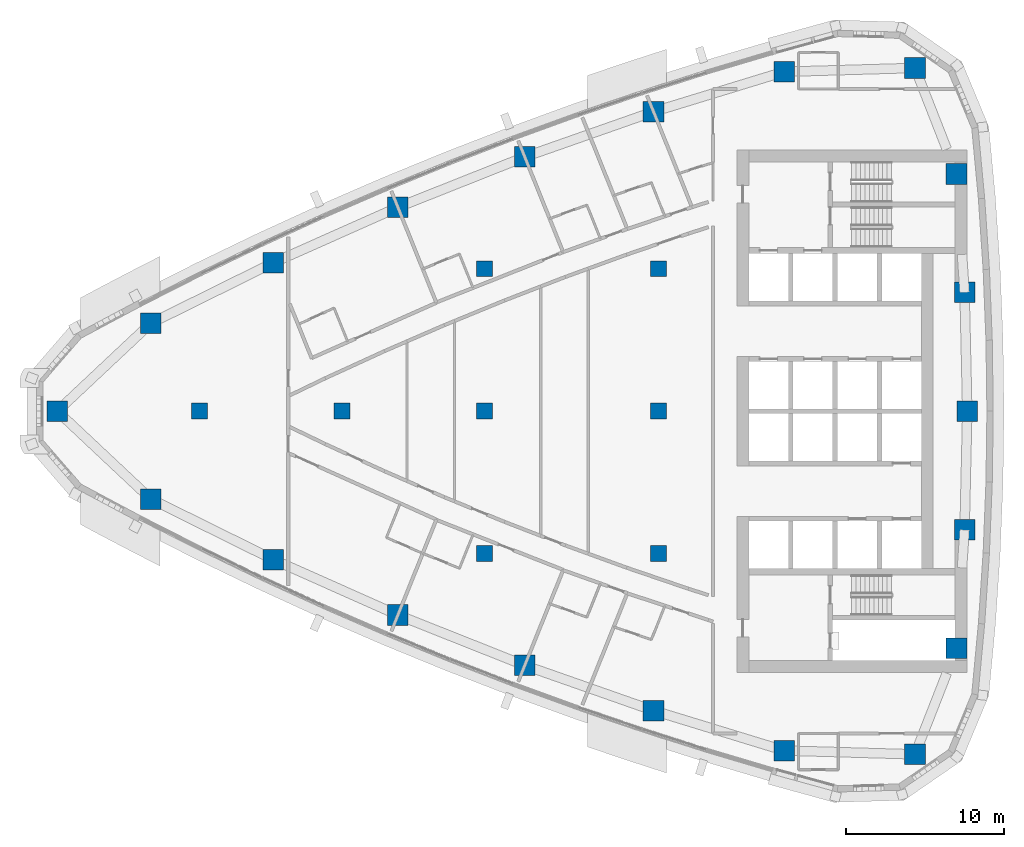
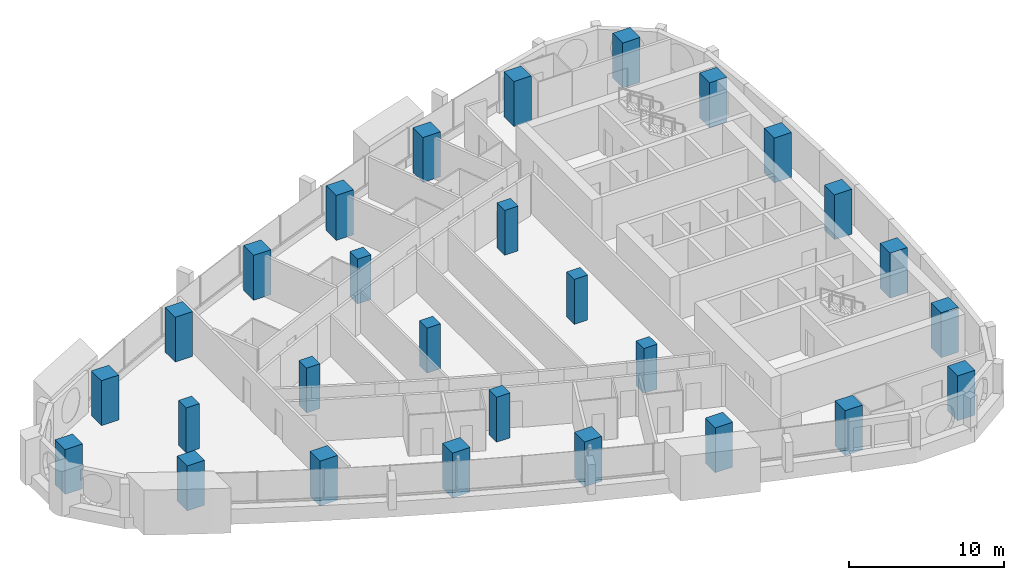
# One storey, part 1 of 17: 28 columns.
"""IFC4 building model written with IfcOpenShell, lengths in metres."""

import ifcopenshell
import ifcopenshell.guid

model = None  # the IFC model being written
_history = None  # IfcOwnerHistory: only IFC2X3 demands one
_inside = {}  # id of a spatial element -> (the spatial element, [elements in it])
_under = {}  # id of a project, library or spatial element -> (it, [spatial elements below it])
_declared = {}  # id of a project -> (the project, [libraries it declares])
_typed = {}  # id of a type object -> (the type object, [elements of that type])
_made_of = {}  # id of a material, layer set ... -> (it, [elements and type objects made of it])


def new_model(schema):
    """Start an empty IFC model of exactly this schema.

    Asked for "IFC4X3", IfcOpenShell would pick the latest addendum, in which some entities
    have other attributes; the version numbers below select the first issue.
    IFC2X3 requires an IfcOwnerHistory on every rooted entity: one is made here for all.
    """
    global model, _history
    if schema == "IFC4X3":
        model = ifcopenshell.file(schema_version=(4, 3, 0, 0))
    else:
        model = ifcopenshell.file(schema=schema)
    _inside.clear()
    _under.clear()
    _declared.clear()
    _typed.clear()
    _made_of.clear()
    _history = None
    if model.schema == "IFC2X3":
        org = make("IfcOrganization", Name="unknown")
        user = make(
            "IfcPersonAndOrganization",
            ThePerson=make("IfcPerson", FamilyName="unknown"),
            TheOrganization=org,
        )
        app = make(
            "IfcApplication",
            ApplicationDeveloper=org,
            Version="unknown",
            ApplicationFullName="unknown",
            ApplicationIdentifier="unknown",
        )
        _history = make(
            "IfcOwnerHistory",
            OwningUser=user,
            OwningApplication=app,
            ChangeAction="ADDED",
            CreationDate=0,
        )
    return model


def make(cls, **values):
    """One entity of the class cls with the attributes given. An attribute that is None is left unset."""
    return model.create_entity(
        cls, **{name: value for name, value in values.items() if value is not None}
    )


def rooted(cls, **values):
    """An entity with a GlobalId (a new one), such as an element, a storey or a relation."""
    return make(cls, GlobalId=ifcopenshell.guid.new(), OwnerHistory=_history, **values)


def si_unit(unit_type, name, prefix=None):
    """IfcSIUnit, for example si_unit("LENGTHUNIT", "METRE", prefix="MILLI")."""
    return make("IfcSIUnit", UnitType=unit_type, Prefix=prefix, Name=name)


def assignment(units):
    """IfcUnitAssignment: the units of a project."""
    return None if units is None else make("IfcUnitAssignment", Units=units)


def point(xyz):
    """IfcCartesianPoint."""
    return None if xyz is None else make("IfcCartesianPoint", Coordinates=xyz)


def direction(xyz):
    """IfcDirection."""
    return None if xyz is None else make("IfcDirection", DirectionRatios=xyz)


def frame(location, z_axis=None, x_axis=None):
    """IfcAxis2Placement3D, a coordinate frame: its origin and axes. An axis left out is left unset."""
    return make(
        "IfcAxis2Placement3D",
        Location=point(location),
        Axis=direction(z_axis),
        RefDirection=direction(x_axis),
    )


def frame_2d(location, x_axis=None):
    """IfcAxis2Placement2D, a coordinate frame in the plane: its origin and x axis."""
    return make(
        "IfcAxis2Placement2D", Location=point(location), RefDirection=direction(x_axis)
    )


def origin():
    """The frame at (0, 0, 0) with its axes left unset."""
    return frame((0.0, 0.0, 0.0))


def origin_2d():
    """The frame at (0, 0) in the plane with its x axis left unset."""
    return frame_2d((0.0, 0.0))


def place(relative_to, where):
    """IfcLocalPlacement: puts the frame where relative to a parent placement (None: the world)."""
    return make(
        "IfcLocalPlacement", PlacementRelTo=relative_to, RelativePlacement=where
    )


def context(
    kind, dimensions, precision=None, world=None, true_north=None, identifier=None
):
    """IfcGeometricRepresentationContext, for example the 3D "Model" context."""
    return make(
        "IfcGeometricRepresentationContext",
        ContextIdentifier=identifier,
        ContextType=kind,
        CoordinateSpaceDimension=dimensions,
        Precision=precision,
        WorldCoordinateSystem=world,
        TrueNorth=true_north,
    )


def subcontext(parent, identifier, kind, view, scale=None):
    """IfcGeometricRepresentationSubContext, for example "Body" below "Model"."""
    return make(
        "IfcGeometricRepresentationSubContext",
        ContextIdentifier=identifier,
        ContextType=kind,
        ParentContext=parent,
        TargetScale=scale,
        TargetView=view,
    )


def project(units=None, contexts=None):
    """IfcProject with its units and contexts."""
    return rooted(
        "IfcProject",
        Name="project",
        RepresentationContexts=contexts,
        UnitsInContext=assignment(units),
    )


def spatial(cls, under=None, at=None, **own):
    """A site, building, storey or space (cls), placed at a placement, below another one or the project."""
    s = rooted(cls, ObjectPlacement=at, **own)
    if under is not None:
        _under.setdefault(under.id(), (under, []))[1].append(s)
    return s


def profile(cls, at=None, kind="AREA", **sizes):
    """A parametric profile (cls). Its sizes go by their IFC names, for example OverallWidth=200.0."""
    return make(cls, ProfileType=kind, Position=at, **sizes)


def rectangle(**sizes):
    """IfcRectangleProfileDef."""
    return profile("IfcRectangleProfileDef", **sizes)


def extrude(swept, where, along, depth):
    """IfcExtrudedAreaSolid: the profile swept, set in the frame where, extruded along a direction by depth."""
    return make(
        "IfcExtrudedAreaSolid",
        SweptArea=swept,
        Position=where,
        ExtrudedDirection=direction(along),
        Depth=depth,
    )


def shape(context_of_items, identifier, shape_type, items):
    """IfcShapeRepresentation: the items that make up one representation, for example the "Body"."""
    return make(
        "IfcShapeRepresentation",
        ContextOfItems=context_of_items,
        RepresentationIdentifier=identifier,
        RepresentationType=shape_type,
        Items=items,
    )


def material(Name=None, Category=None):
    """IfcMaterial."""
    return make("IfcMaterial", Name=Name, Category=Category)


def material_profile(
    of_material, cross_section, Name=None, Category=None, Priority=None
):
    """IfcMaterialProfile: a cross section and its material."""
    return make(
        "IfcMaterialProfile",
        Name=Name,
        Material=of_material,
        Profile=cross_section,
        Priority=Priority,
        Category=Category,
    )


def profile_set(profiles, Name=None, composite=None):
    """IfcMaterialProfileSet."""
    return make(
        "IfcMaterialProfileSet",
        Name=Name,
        MaterialProfiles=profiles,
        CompositeProfile=composite,
    )


def made_of(thing, what):
    """Note that an element or type object is made of a material, layer set ...; save() writes the relation."""
    if what is not None:
        _made_of.setdefault(what.id(), (what, []))[1].append(thing)
    return thing


def type_object(cls, material=None, **own):
    """A type object (cls), such as IfcWallType, which elements share."""
    return made_of(rooted(cls, **own), material)


def element(
    cls,
    number,
    at=None,
    inside=None,
    cuts=None,
    type_object=None,
    material=None,
    context=None,
    identifier="Body",
    shape_type=None,
    held_by="IfcProductDefinitionShape",
    body=None,
    shapes=None,
    **own,
):
    """One element of the class cls, such as IfcWall. Its Tag is "e" and its number.

    at: its placement. inside: the storey or other place that contains it. cuts: it is an
    opening in that element (IfcRelVoidsElement). A single representation is given by context,
    identifier, shape_type and body (its items); several are given by shapes. held_by: the class
    of the entity that holds the representations. save() writes the other relations.
    """
    e = rooted(cls, Tag="e%d" % number, ObjectPlacement=at, **own)
    if body is not None:
        shapes = [shape(context, identifier, shape_type, body)]
    if shapes is not None:
        e.Representation = make(held_by, Representations=shapes)
    if inside is not None:
        _inside.setdefault(inside.id(), (inside, []))[1].append(e)
    if cuts is not None:
        rooted(
            "IfcRelVoidsElement", RelatingBuildingElement=cuts, RelatedOpeningElement=e
        )
    if type_object is not None:
        _typed.setdefault(type_object.id(), (type_object, []))[1].append(e)
    return made_of(e, material)


def aggregate(whole, parts):
    """IfcRelAggregates: a whole, such as a stair, and the parts it consists of."""
    return rooted("IfcRelAggregates", RelatingObject=whole, RelatedObjects=parts)


def save(model, path):
    """Write the relations noted so far, then the file.

    IfcRelAggregates (storeys below a building ...), IfcRelContainedInSpatialStructure (elements
    in a storey), IfcRelDefinesByType, IfcRelAssociatesMaterial and IfcRelDeclares: one each for
    every whole, place, type object, material and project.
    """
    for whole, parts in _under.values():
        aggregate(whole, parts)
    for where, things in _inside.values():
        rooted(
            "IfcRelContainedInSpatialStructure",
            RelatedElements=things,
            RelatingStructure=where,
        )
    for kind, things in _typed.values():
        rooted("IfcRelDefinesByType", RelatedObjects=things, RelatingType=kind)
    for what, things in _made_of.values():
        rooted("IfcRelAssociatesMaterial", RelatedObjects=things, RelatingMaterial=what)
    for by, libraries in _declared.values():
        rooted("IfcRelDeclares", RelatingContext=by, RelatedDefinitions=libraries)
    model.write(path)


model = new_model("IFC4")

# Units and contexts
model_context = context("Model", 3, precision=1e-05, world=origin(), true_north=direction((0.0, 1.0)))
body_context = subcontext(model_context, "Body", "Model", "MODEL_VIEW")
ifc_project = project(units=[si_unit("LENGTHUNIT", "METRE"), si_unit("AREAUNIT", "SQUARE_METRE"), si_unit("VOLUMEUNIT", "CUBIC_METRE"), si_unit("PLANEANGLEUNIT", "RADIAN"), si_unit("MASSUNIT", "GRAM", prefix="KILO")], contexts=[model_context])

# Site, building, storey
site_placement = place(None, origin())
site = spatial("IfcSite", under=ifc_project, at=site_placement, CompositionType="ELEMENT")
building_placement = place(site_placement, origin())
building = spatial("IfcBuilding", under=site, at=building_placement, Name="Ostrand Prow Hotel Tower", CompositionType="ELEMENT")
storey_placement = place(building_placement, frame((0.0, 0.0, 175.5)))
storey = spatial("IfcBuildingStorey", under=building, at=storey_placement, Name="L43", CompositionType="ELEMENT", Elevation=175.5)

# Columns
ifc_material_1 = material(Name="Concrete C60/75", Category="concrete")
ifc_material_profile_1 = material_profile(ifc_material_1, rectangle(XDim=1.0, YDim=1.0, at=origin_2d()), Name="RC 1000x1000")
ifc_profile_set_1 = profile_set([ifc_material_profile_1], Name="Concrete C60/75")
column_type_1 = type_object("IfcColumnType", Name="Interior column 1000x1000 C60/75", PredefinedType="COLUMN", material=ifc_profile_set_1)
for number, where, z_axis, x_axis, name in (
    (1, (16.0, 0.0, 0.0), (0.0, 0.0, 1.0), (1.0, 0.0, 0.0), "Interior column 16C0"),
    (2, (25.0, 0.0, 0.0), (0.0, 0.0, 1.0), (1.0, 0.0, 0.0), "Interior column 25C0"),
    (3, (34.0, -9.0, 0.0), (0.0, 0.0, 1.0), (1.0, 0.0, 0.0), "Interior column 34S9"),
    (4, (34.0, 0.0, 0.0), (0.0, 0.0, 1.0), (1.0, 0.0, 0.0), "Interior column 34C0"),
    (5, (34.0, 9.0, 0.0), (0.0, 0.0, 1.0), (1.0, 0.0, 0.0), "Interior column 34N9"),
    (6, (45.0, -9.0, 0.0), (0.0, 0.0, 1.0), (1.0, 0.0, 0.0), "Interior column 45S9"),
    (7, (45.0, 0.0, 0.0), (0.0, 0.0, 1.0), (1.0, 0.0, 0.0), "Interior column 45C0"),
    (8, (45.0, 9.0, 0.0), (0.0, 0.0, 1.0), (1.0, 0.0, 0.0), "Interior column 45N9"),
):
    element("IfcColumn", number, at=place(storey_placement, frame(where, z_axis=z_axis, x_axis=x_axis)), inside=storey, type_object=column_type_1, Name=name, PredefinedType="COLUMN", context=body_context, shape_type="SweptSolid", body=[
        extrude(rectangle(XDim=1.0, YDim=1.0, at=origin_2d()), origin(), (0.0, 0.0, 1.0), 3.550048828125),
    ])
ifc_material_2 = material(Name="Concrete C60/75", Category="concrete")
ifc_material_profile_2 = material_profile(ifc_material_2, rectangle(XDim=1.300048828125, YDim=1.300048828125, at=origin_2d()), Name="RC 1300x1300")
ifc_profile_set_2 = profile_set([ifc_material_profile_2], Name="Concrete C60/75")
column_type_2 = type_object("IfcColumnType", Name="Stone-faced mega column 1300x1300 C60/75", PredefinedType="COLUMN", material=ifc_profile_set_2)
for number, where, z_axis, x_axis, name in (
    (9, (7.01708984375, 0.0, 0.0), (0.0, 0.0, 1.0), (1.0, 0.0, 0.0), "Mega column P"),
    (10, (12.9287109375, -5.551513671875, 0.0), (0.0, 0.0, 1.0), (1.0, 0.0, 0.0), "Mega column S1"),
    (11, (20.656982421875, -9.373291015625, 0.0), (0.0, 0.0, 1.0), (1.0, 0.0, 0.0), "Mega column S2"),
    (12, (28.5341796875, -12.878173828125, 0.0), (0.0, 0.0, 1.0), (1.0, 0.0, 0.0), "Mega column S3"),
    (13, (36.547119140625, -16.060791015625, 0.0), (0.0, 0.0, 1.0), (1.0, 0.0, 0.0), "Mega column S4"),
    (14, (44.6826171875, -18.91552734375, 0.0), (0.0, 0.0, 1.0), (1.0, 0.0, 0.0), "Mega column S5"),
    (15, (52.92724609375, -21.43798828125, 0.0), (0.0, 0.0, 1.0), (1.0, 0.0, 0.0), "Mega column S6"),
    (16, (61.198486328125, -21.678955078125, 0.0), (0.0, 0.0, 1.0), (1.0, 0.0, 0.0), "Mega column SE"),
    (17, (63.822021484375, -14.983154296875, 0.0), (0.0, 0.0, 1.0), (1.0, 0.0, 0.0), "Mega column B1"),
    (18, (64.330322265625, -7.499267578125, 0.0), (0.0, 0.0, 1.0), (1.0, 0.0, 0.0), "Mega column B2"),
    (19, (64.5, 0.0, 0.0), (0.0, 0.0, 1.0), (1.0, 0.0, 0.0), "Mega column B3"),
    (20, (64.330322265625, 7.499267578125, 0.0), (0.0, 0.0, 1.0), (1.0, 0.0, 0.0), "Mega column B4"),
    (21, (63.822021484375, 14.983154296875, 0.0), (0.0, 0.0, 1.0), (1.0, 0.0, 0.0), "Mega column B5"),
    (22, (61.198486328125, 21.678955078125, 0.0), (0.0, 0.0, 1.0), (1.0, 0.0, 0.0), "Mega column NE"),
    (23, (52.92724609375, 21.43798828125, 0.0), (0.0, 0.0, 1.0), (1.0, 0.0, 0.0), "Mega column N1"),
    (24, (44.6826171875, 18.91552734375, 0.0), (0.0, 0.0, 1.0), (1.0, 0.0, 0.0), "Mega column N2"),
    (25, (36.547119140625, 16.060791015625, 0.0), (0.0, 0.0, 1.0), (1.0, 0.0, 0.0), "Mega column N3"),
    (26, (28.5341796875, 12.878173828125, 0.0), (0.0, 0.0, 1.0), (1.0, 0.0, 0.0), "Mega column N4"),
    (27, (20.656982421875, 9.373291015625, 0.0), (0.0, 0.0, 1.0), (1.0, 0.0, 0.0), "Mega column N5"),
    (28, (12.9287109375, 5.551513671875, 0.0), (0.0, 0.0, 1.0), (1.0, 0.0, 0.0), "Mega column N6"),
):
    element("IfcColumn", number, at=place(storey_placement, frame(where, z_axis=z_axis, x_axis=x_axis)), inside=storey, type_object=column_type_2, Name=name, PredefinedType="COLUMN", context=body_context, shape_type="SweptSolid", body=[
        extrude(rectangle(XDim=1.300048828125, YDim=1.300048828125, at=origin_2d()), origin(), (0.0, 0.0, 1.0), 3.550048828125),
    ])

save(model, "model.ifc")
